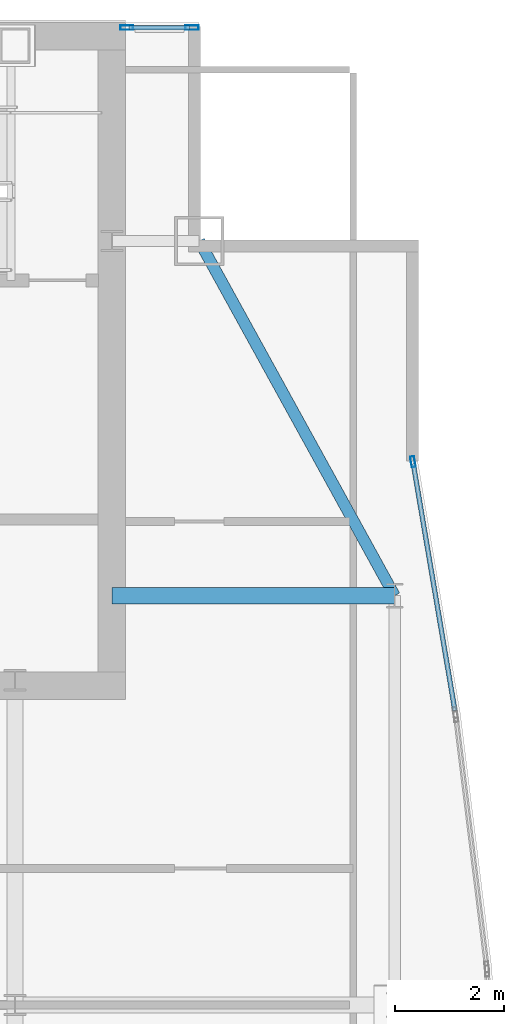
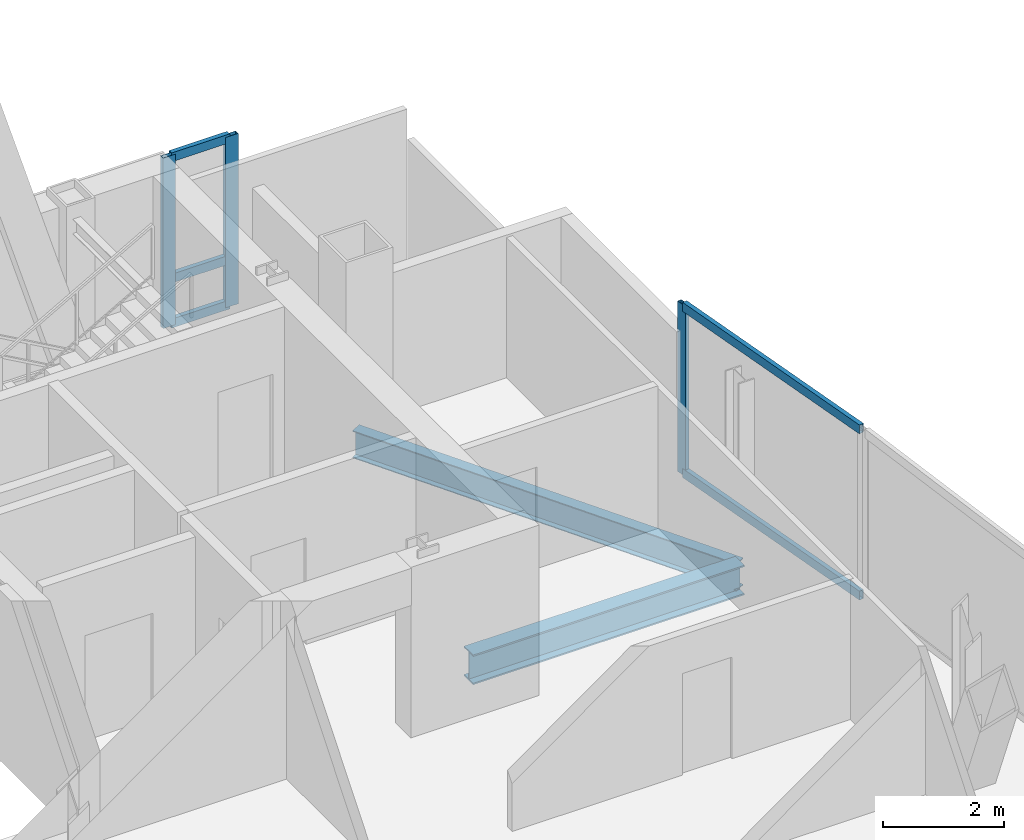
# One storey, part 22 of 29: 8 members, 2 beams, 2 elements without a shape of their own.
"""IFC4 building model written with IfcOpenShell, lengths in metres."""

import ifcopenshell
import ifcopenshell.guid

model = None  # the IFC model being written
_history = None  # IfcOwnerHistory: only IFC2X3 demands one
_inside = {}  # id of a spatial element -> (the spatial element, [elements in it])
_under = {}  # id of a project, library or spatial element -> (it, [spatial elements below it])
_declared = {}  # id of a project -> (the project, [libraries it declares])
_typed = {}  # id of a type object -> (the type object, [elements of that type])
_made_of = {}  # id of a material, layer set ... -> (it, [elements and type objects made of it])


def new_model(schema):
    """Start an empty IFC model of exactly this schema.

    Asked for "IFC4X3", IfcOpenShell would pick the latest addendum, in which some entities
    have other attributes; the version numbers below select the first issue.
    IFC2X3 requires an IfcOwnerHistory on every rooted entity: one is made here for all.
    """
    global model, _history
    if schema == "IFC4X3":
        model = ifcopenshell.file(schema_version=(4, 3, 0, 0))
    else:
        model = ifcopenshell.file(schema=schema)
    _inside.clear()
    _under.clear()
    _declared.clear()
    _typed.clear()
    _made_of.clear()
    _history = None
    if model.schema == "IFC2X3":
        org = make("IfcOrganization", Name="unknown")
        user = make(
            "IfcPersonAndOrganization",
            ThePerson=make("IfcPerson", FamilyName="unknown"),
            TheOrganization=org,
        )
        app = make(
            "IfcApplication",
            ApplicationDeveloper=org,
            Version="unknown",
            ApplicationFullName="unknown",
            ApplicationIdentifier="unknown",
        )
        _history = make(
            "IfcOwnerHistory",
            OwningUser=user,
            OwningApplication=app,
            ChangeAction="ADDED",
            CreationDate=0,
        )
    return model


def make(cls, **values):
    """One entity of the class cls with the attributes given. An attribute that is None is left unset."""
    return model.create_entity(
        cls, **{name: value for name, value in values.items() if value is not None}
    )


def rooted(cls, **values):
    """An entity with a GlobalId (a new one), such as an element, a storey or a relation."""
    return make(cls, GlobalId=ifcopenshell.guid.new(), OwnerHistory=_history, **values)


def si_unit(unit_type, name, prefix=None):
    """IfcSIUnit, for example si_unit("LENGTHUNIT", "METRE", prefix="MILLI")."""
    return make("IfcSIUnit", UnitType=unit_type, Prefix=prefix, Name=name)


def assignment(units):
    """IfcUnitAssignment: the units of a project."""
    return None if units is None else make("IfcUnitAssignment", Units=units)


def point(xyz):
    """IfcCartesianPoint."""
    return None if xyz is None else make("IfcCartesianPoint", Coordinates=xyz)


def direction(xyz):
    """IfcDirection."""
    return None if xyz is None else make("IfcDirection", DirectionRatios=xyz)


def frame(location, z_axis=None, x_axis=None):
    """IfcAxis2Placement3D, a coordinate frame: its origin and axes. An axis left out is left unset."""
    return make(
        "IfcAxis2Placement3D",
        Location=point(location),
        Axis=direction(z_axis),
        RefDirection=direction(x_axis),
    )


def frame_2d(location, x_axis=None):
    """IfcAxis2Placement2D, a coordinate frame in the plane: its origin and x axis."""
    return make(
        "IfcAxis2Placement2D", Location=point(location), RefDirection=direction(x_axis)
    )


def origin():
    """The frame at (0, 0, 0) with its axes left unset."""
    return frame((0.0, 0.0, 0.0))


def origin_2d():
    """The frame at (0, 0) in the plane with its x axis left unset."""
    return frame_2d((0.0, 0.0))


def place(relative_to, where):
    """IfcLocalPlacement: puts the frame where relative to a parent placement (None: the world)."""
    return make(
        "IfcLocalPlacement", PlacementRelTo=relative_to, RelativePlacement=where
    )


def context(
    kind, dimensions, precision=None, world=None, true_north=None, identifier=None
):
    """IfcGeometricRepresentationContext, for example the 3D "Model" context."""
    return make(
        "IfcGeometricRepresentationContext",
        ContextIdentifier=identifier,
        ContextType=kind,
        CoordinateSpaceDimension=dimensions,
        Precision=precision,
        WorldCoordinateSystem=world,
        TrueNorth=true_north,
    )


def subcontext(parent, identifier, kind, view, scale=None):
    """IfcGeometricRepresentationSubContext, for example "Body" below "Model"."""
    return make(
        "IfcGeometricRepresentationSubContext",
        ContextIdentifier=identifier,
        ContextType=kind,
        ParentContext=parent,
        TargetScale=scale,
        TargetView=view,
    )


def project(units=None, contexts=None):
    """IfcProject with its units and contexts."""
    return rooted(
        "IfcProject",
        Name="project",
        RepresentationContexts=contexts,
        UnitsInContext=assignment(units),
    )


def spatial(cls, under=None, at=None, **own):
    """A site, building, storey or space (cls), placed at a placement, below another one or the project."""
    s = rooted(cls, ObjectPlacement=at, **own)
    if under is not None:
        _under.setdefault(under.id(), (under, []))[1].append(s)
    return s


def profile(cls, at=None, kind="AREA", **sizes):
    """A parametric profile (cls). Its sizes go by their IFC names, for example OverallWidth=200.0."""
    return make(cls, ProfileType=kind, Position=at, **sizes)


def hollow_rectangle(**sizes):
    """IfcRectangleHollowProfileDef."""
    return profile("IfcRectangleHollowProfileDef", **sizes)


def i_section(**sizes):
    """IfcIShapeProfileDef."""
    return profile("IfcIShapeProfileDef", **sizes)


def extrude(swept, where, along, depth):
    """IfcExtrudedAreaSolid: the profile swept, set in the frame where, extruded along a direction by depth."""
    return make(
        "IfcExtrudedAreaSolid",
        SweptArea=swept,
        Position=where,
        ExtrudedDirection=direction(along),
        Depth=depth,
    )


def shape(context_of_items, identifier, shape_type, items):
    """IfcShapeRepresentation: the items that make up one representation, for example the "Body"."""
    return make(
        "IfcShapeRepresentation",
        ContextOfItems=context_of_items,
        RepresentationIdentifier=identifier,
        RepresentationType=shape_type,
        Items=items,
    )


def material(Name=None, Category=None):
    """IfcMaterial."""
    return make("IfcMaterial", Name=Name, Category=Category)


def material_profile(
    of_material, cross_section, Name=None, Category=None, Priority=None
):
    """IfcMaterialProfile: a cross section and its material."""
    return make(
        "IfcMaterialProfile",
        Name=Name,
        Material=of_material,
        Profile=cross_section,
        Priority=Priority,
        Category=Category,
    )


def profile_set(profiles, Name=None, composite=None):
    """IfcMaterialProfileSet."""
    return make(
        "IfcMaterialProfileSet",
        Name=Name,
        MaterialProfiles=profiles,
        CompositeProfile=composite,
    )


def made_of(thing, what):
    """Note that an element or type object is made of a material, layer set ...; save() writes the relation."""
    if what is not None:
        _made_of.setdefault(what.id(), (what, []))[1].append(thing)
    return thing


def type_object(cls, material=None, **own):
    """A type object (cls), such as IfcWallType, which elements share."""
    return made_of(rooted(cls, **own), material)


def element(
    cls,
    number,
    at=None,
    inside=None,
    cuts=None,
    type_object=None,
    material=None,
    context=None,
    identifier="Body",
    shape_type=None,
    held_by="IfcProductDefinitionShape",
    body=None,
    shapes=None,
    **own,
):
    """One element of the class cls, such as IfcWall. Its Tag is "e" and its number.

    at: its placement. inside: the storey or other place that contains it. cuts: it is an
    opening in that element (IfcRelVoidsElement). A single representation is given by context,
    identifier, shape_type and body (its items); several are given by shapes. held_by: the class
    of the entity that holds the representations. save() writes the other relations.
    """
    e = rooted(cls, Tag="e%d" % number, ObjectPlacement=at, **own)
    if body is not None:
        shapes = [shape(context, identifier, shape_type, body)]
    if shapes is not None:
        e.Representation = make(held_by, Representations=shapes)
    if inside is not None:
        _inside.setdefault(inside.id(), (inside, []))[1].append(e)
    if cuts is not None:
        rooted(
            "IfcRelVoidsElement", RelatingBuildingElement=cuts, RelatedOpeningElement=e
        )
    if type_object is not None:
        _typed.setdefault(type_object.id(), (type_object, []))[1].append(e)
    return made_of(e, material)


def aggregate(whole, parts):
    """IfcRelAggregates: a whole, such as a stair, and the parts it consists of."""
    return rooted("IfcRelAggregates", RelatingObject=whole, RelatedObjects=parts)


def save(model, path):
    """Write the relations noted so far, then the file.

    IfcRelAggregates (storeys below a building ...), IfcRelContainedInSpatialStructure (elements
    in a storey), IfcRelDefinesByType, IfcRelAssociatesMaterial and IfcRelDeclares: one each for
    every whole, place, type object, material and project.
    """
    for whole, parts in _under.values():
        aggregate(whole, parts)
    for where, things in _inside.values():
        rooted(
            "IfcRelContainedInSpatialStructure",
            RelatedElements=things,
            RelatingStructure=where,
        )
    for kind, things in _typed.values():
        rooted("IfcRelDefinesByType", RelatedObjects=things, RelatingType=kind)
    for what, things in _made_of.values():
        rooted("IfcRelAssociatesMaterial", RelatedObjects=things, RelatingMaterial=what)
    for by, libraries in _declared.values():
        rooted("IfcRelDeclares", RelatingContext=by, RelatedDefinitions=libraries)
    model.write(path)


model = new_model("IFC4")

# Units and contexts
model_context = context("Model", 3, precision=1e-05, world=origin(), true_north=direction((0.0, 1.0)))
body_context = subcontext(model_context, "Body", "Model", "MODEL_VIEW")
ifc_project = project(units=[si_unit("LENGTHUNIT", "METRE"), si_unit("AREAUNIT", "SQUARE_METRE"), si_unit("VOLUMEUNIT", "CUBIC_METRE"), si_unit("PLANEANGLEUNIT", "RADIAN"), si_unit("MASSUNIT", "GRAM", prefix="KILO")], contexts=[model_context])

# Site, building, storey
site_placement = place(None, origin())
site = spatial("IfcSite", under=ifc_project, at=site_placement, CompositionType="ELEMENT")
building_placement = place(site_placement, origin())
building = spatial("IfcBuilding", under=site, at=building_placement, Name="Khoronbel Lancet Exchange", CompositionType="ELEMENT")
storey_placement = place(building_placement, frame((0.0, 0.0, 336.199951171875)))
storey = spatial("IfcBuildingStorey", under=building, at=storey_placement, Name="L87", CompositionType="ELEMENT", Elevation=336.199951171875)

# Beams
ifc_material_1 = material(Name="Steel S355", Category="steel")
ifc_material_profile_1 = material_profile(ifc_material_1, i_section(OverallWidth=0.300048828125, OverallDepth=0.60009765625, WebThickness=0.015380859375, FlangeThickness=0.030029296875, at=origin_2d()), Name="HEB 600")
ifc_profile_set_1 = profile_set([ifc_material_profile_1], Name="Steel S355")
beam_type_1 = type_object("IfcBeamType", Name="BM-BG5", PredefinedType="BEAM", material=ifc_profile_set_1)
beam_1_placement = place(storey_placement, frame((56.449951171875, 43.199951171875, -0.4599609375), z_axis=(1.0, 0.0, 0.0), x_axis=(0.0, 1.0, 0.0)))
element("IfcBeam", 1, at=beam_1_placement, inside=storey, type_object=beam_type_1, Name="Level L87 east lens tie girder LG3E", PredefinedType="BEAM", context=body_context, shape_type="SweptSolid", body=[
    extrude(i_section(OverallWidth=0.300048828125, OverallDepth=0.60009765625, WebThickness=0.015380859375, FlangeThickness=0.030029296875, at=origin_2d()), origin(), (0.0, 0.0, 1.0), 5.179931640625),
])
ifc_material_profile_2 = material_profile(ifc_material_1, i_section(OverallWidth=0.2099609375, OverallDepth=0.550048828125, WebThickness=0.010986328125, FlangeThickness=0.01708984375, at=origin_2d()), Name="IPE 550")
ifc_profile_set_2 = profile_set([ifc_material_profile_2], Name="Steel S355")
beam_type_2 = type_object("IfcBeamType", Name="BM-BSP3", PredefinedType="SPANDREL", material=ifc_profile_set_2)
beam_2_placement = place(storey_placement, frame((61.6298828125, 43.199951171875, -0.43505859375), z_axis=(-0.482418808117, 0.875940690672, 0.0), x_axis=(-0.875940690672, -0.482418808117, 0.0)))
element("IfcBeam", 2, at=beam_2_placement, inside=storey, type_object=beam_type_2, Name="Level L87 perimeter spandrel beam SP13", PredefinedType="SPANDREL", context=body_context, shape_type="SweptSolid", body=[
    extrude(i_section(OverallWidth=0.2099609375, OverallDepth=0.550048828125, WebThickness=0.010986328125, FlangeThickness=0.01708984375, at=origin_2d()), origin(), (0.0, 0.0, 1.0), 7.420654296875),
])

# Curtain wall, members
ifc_material_2 = material(Name="Low-E Solar Control Insulating Glass", Category="glass")
curtain_wall_type_1 = type_object("IfcCurtainWallType", Name="CW-3", PredefinedType="NOTDEFINED", material=ifc_material_2)
curtain_wall_1_placement = place(storey_placement, origin())
curtain_wall_1 = element("IfcCurtainWall", 3, at=curtain_wall_1_placement, inside=storey, type_object=curtain_wall_type_1, Name="Unitised curtain wall CW-L87-NEFLK", PredefinedType="NOTDEFINED")
ifc_material_3 = material(Name="Bronze-Anodised Aluminium 6063-T6", Category="aluminium")
ifc_material_profile_3 = material_profile(ifc_material_3, hollow_rectangle(XDim=0.0849609375, YDim=0.239990234375, WallThickness=0.006103515625, at=origin_2d()), Name="ALU MULLION 85x240")
ifc_profile_set_3 = profile_set([ifc_material_profile_3], Name="Bronze-Anodised Aluminium 6063-T6")
member_type_1 = type_object("IfcMemberType", Name="MEM-CWM1", PredefinedType="MULLION", material=ifc_profile_set_3)
member_1_placement = place(storey_placement, frame((57.91748046875, 53.610107421875, 0.0), z_axis=(0.0, 0.0, 1.0), x_axis=(0.0, -1.0, 0.0)))
member_1 = element("IfcMember", 4, at=member_1_placement, type_object=member_type_1, Name="CW3 mullion 1", PredefinedType="MULLION", context=body_context, shape_type="SweptSolid", body=[
    extrude(hollow_rectangle(XDim=0.0849609375, YDim=0.239990234375, WallThickness=0.006103515625, at=origin_2d()), origin(), (0.0, 0.0, 1.0), 3.43994140625),
])
member_2_placement = place(storey_placement, frame((56.722412109375, 53.610107421875, 0.0), z_axis=(0.0, 0.0, 1.0), x_axis=(0.0, -1.0, 0.0)))
member_2 = element("IfcMember", 5, at=member_2_placement, type_object=member_type_1, Name="CW3 mullion 2", PredefinedType="MULLION", context=body_context, shape_type="SweptSolid", body=[
    extrude(hollow_rectangle(XDim=0.0849609375, YDim=0.239990234375, WallThickness=0.006103515625, at=origin_2d()), origin(), (0.0, 0.0, 1.0), 3.43994140625),
])

# Curtain wall, member
curtain_wall_type_2 = type_object("IfcCurtainWallType", Name="CW-4", PredefinedType="NOTDEFINED", material=ifc_material_2)
curtain_wall_2_placement = place(storey_placement, origin())
curtain_wall_2 = element("IfcCurtainWall", 6, at=curtain_wall_2_placement, inside=storey, type_object=curtain_wall_type_2, Name="Unitised curtain wall CW-L87-E17", PredefinedType="NOTDEFINED")
ifc_material_profile_4 = material_profile(ifc_material_3, hollow_rectangle(XDim=0.074951171875, YDim=0.199951171875, WallThickness=0.0048828125, at=origin_2d()), Name="ALU MULLION 75x200")
ifc_profile_set_4 = profile_set([ifc_material_profile_4], Name="Bronze-Anodised Aluminium 6063-T6")
member_type_2 = type_object("IfcMemberType", Name="MEM-CWM2", PredefinedType="MULLION", material=ifc_profile_set_4)
member_3_placement = place(storey_placement, frame((61.96630859375, 45.655517578125, 0.0), z_axis=(0.0, 0.0, 1.0), x_axis=(0.986059939458, 0.166390491902, 0.0)))
member_3 = element("IfcMember", 7, at=member_3_placement, type_object=member_type_2, Name="CW4 mullion 1", PredefinedType="MULLION", context=body_context, shape_type="SweptSolid", body=[
    extrude(hollow_rectangle(XDim=0.074951171875, YDim=0.199951171875, WallThickness=0.0048828125, at=origin_2d()), origin(), (0.0, 0.0, 1.0), 3.43994140625),
])

# Member
ifc_material_profile_5 = material_profile(ifc_material_3, hollow_rectangle(XDim=0.0849609375, YDim=0.179931640625, WallThickness=0.0048828125, at=origin_2d()), Name="ALU TRANSOM 85x180")
ifc_profile_set_5 = profile_set([ifc_material_profile_5], Name="Bronze-Anodised Aluminium 6063-T6")
member_type_3 = type_object("IfcMemberType", Name="MEM-CWT1", PredefinedType="USERDEFINED", material=ifc_profile_set_5)
member_4_placement = place(storey_placement, frame((57.875, 53.610107421875, 0.04248046875), z_axis=(-1.0, 0.0, 0.0), x_axis=(0.0, -1.0, 0.0)))
member_4 = element("IfcMember", 8, at=member_4_placement, type_object=member_type_3, Name="CW3 transom 1.1", ObjectType="TRANSOM", PredefinedType="USERDEFINED", context=body_context, shape_type="SweptSolid", body=[
    extrude(hollow_rectangle(XDim=0.0849609375, YDim=0.179931640625, WallThickness=0.0048828125, at=origin_2d()), origin(), (0.0, 0.0, 1.0), 1.110107421875),
])

member_5_placement = place(storey_placement, frame((57.875, 53.610107421875, 0.949951171875), z_axis=(-1.0, 0.0, 0.0), x_axis=(0.0, -1.0, 0.0)))
member_5 = element("IfcMember", 9, at=member_5_placement, type_object=member_type_3, Name="CW3 transom 1.2", ObjectType="TRANSOM", PredefinedType="USERDEFINED", context=body_context, shape_type="SweptSolid", body=[
    extrude(hollow_rectangle(XDim=0.0849609375, YDim=0.179931640625, WallThickness=0.0048828125, at=origin_2d()), origin(), (0.0, 0.0, 1.0), 1.110107421875),
])

member_6_placement = place(storey_placement, frame((57.875, 53.610107421875, 3.3974609375), z_axis=(-1.0, 0.0, 0.0), x_axis=(0.0, -1.0, 0.0)))
member_6 = element("IfcMember", 10, at=member_6_placement, type_object=member_type_3, Name="CW3 transom 1.3", ObjectType="TRANSOM", PredefinedType="USERDEFINED", context=body_context, shape_type="SweptSolid", body=[
    extrude(hollow_rectangle(XDim=0.0849609375, YDim=0.179931640625, WallThickness=0.0048828125, at=origin_2d()), origin(), (0.0, 0.0, 1.0), 1.110107421875),
])

aggregate(curtain_wall_1, [member_1, member_2, member_4, member_5, member_6])

member_7_placement = place(storey_placement, frame((61.972412109375, 45.61865234375, 0.04248046875), z_axis=(0.166383190337, -0.986061171517, 0.0), x_axis=(0.986061171517, 0.166383190337, 0.0)))
member_7 = element("IfcMember", 11, at=member_7_placement, type_object=member_type_3, Name="CW4 transom 1.1", ObjectType="TRANSOM", PredefinedType="USERDEFINED", context=body_context, shape_type="SweptSolid", body=[
    extrude(hollow_rectangle(XDim=0.0849609375, YDim=0.179931640625, WallThickness=0.0048828125, at=origin_2d()), origin(), (0.0, 0.0, 1.0), 4.58837890625),
])

member_8_placement = place(storey_placement, frame((61.972412109375, 45.61865234375, 3.3974609375), z_axis=(0.166383190337, -0.986061171517, 0.0), x_axis=(0.986061171517, 0.166383190337, 0.0)))
member_8 = element("IfcMember", 12, at=member_8_placement, type_object=member_type_3, Name="CW4 transom 1.2", ObjectType="TRANSOM", PredefinedType="USERDEFINED", context=body_context, shape_type="SweptSolid", body=[
    extrude(hollow_rectangle(XDim=0.0849609375, YDim=0.179931640625, WallThickness=0.0048828125, at=origin_2d()), origin(), (0.0, 0.0, 1.0), 4.58837890625),
])

aggregate(curtain_wall_2, [member_3, member_7, member_8])

save(model, "model.ifc")
